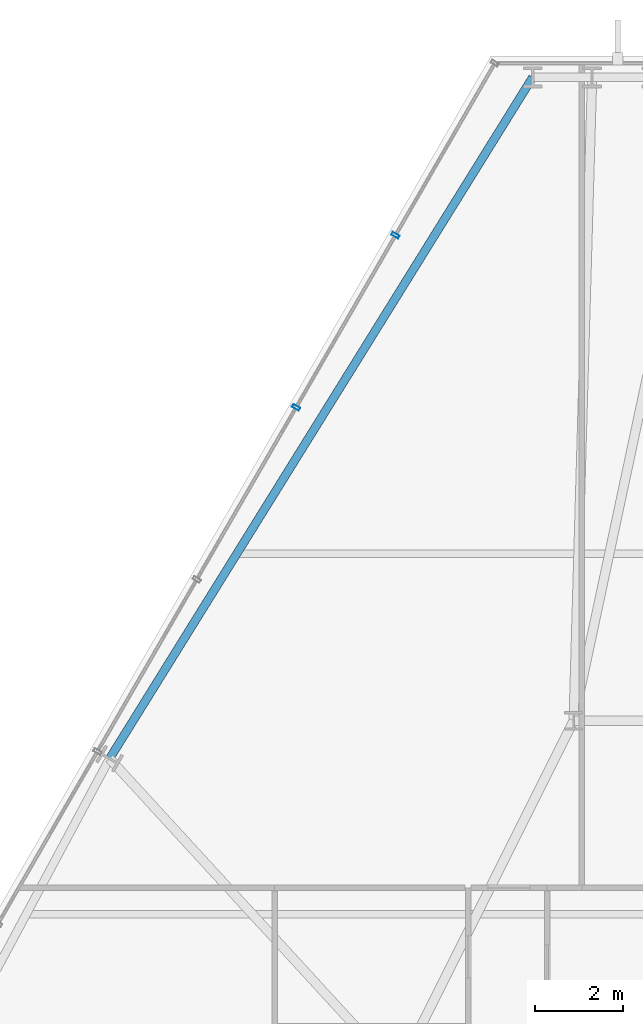
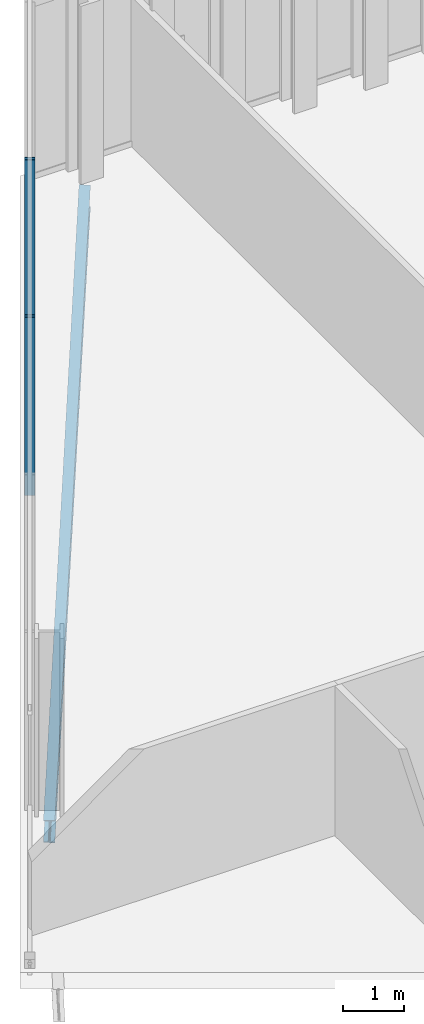
# One storey, part 21 of 33: 2 members, 1 beam, 1 element without a shape of its own.
"""IFC4 building model written with IfcOpenShell, lengths in metres."""

from ifc_helpers import new_model, si_unit, direction, frame, origin, origin_2d, place, context, subcontext, project, spatial, hollow_rectangle, i_section, extrude, material, layer, layer_set, material_profile, profile_set, type_object, element, aggregate, save


model = new_model("IFC4")

# Units and contexts
model_context = context("Model", 3, precision=1e-05, world=origin(), true_north=direction((0.0, 1.0)))
body_context = subcontext(model_context, "Body", "Model", "MODEL_VIEW")
ifc_project = project(units=[si_unit("LENGTHUNIT", "METRE"), si_unit("AREAUNIT", "SQUARE_METRE"), si_unit("VOLUMEUNIT", "CUBIC_METRE"), si_unit("PLANEANGLEUNIT", "RADIAN"), si_unit("MASSUNIT", "GRAM", prefix="KILO")], contexts=[model_context])

# Site, building, storey
site_placement = place(None, origin())
site = spatial("IfcSite", under=ifc_project, at=site_placement, CompositionType="ELEMENT")
building_placement = place(site_placement, origin())
building = spatial("IfcBuilding", under=site, at=building_placement, Name="Ndaravel Arena Tower", CompositionType="ELEMENT")
storey_placement = place(building_placement, frame((0.0, 0.0, 153.60009765625)))
storey = spatial("IfcBuildingStorey", under=building, at=storey_placement, Name="L36", CompositionType="ELEMENT", Elevation=153.60009765625)

# Beam
ifc_material_1 = material(Name="Steel S355", Category="steel")
ifc_material_profile_1 = material_profile(ifc_material_1, i_section(OverallWidth=0.18994140625, OverallDepth=0.449951171875, WebThickness=0.009521484375, FlangeThickness=0.0146484375, FilletRadius=0.02099609375, at=origin_2d()), Name="IPE 450")
ifc_profile_set_1 = profile_set([ifc_material_profile_1], Name="Steel S355")
beam_type = type_object("IfcBeamType", Name="BM-SPAN-IPE450", PredefinedType="SPANDREL", material=ifc_profile_set_1)
beam_placement = place(storey_placement, frame((37.268798828125, 45.833740234375, -0.445068359375), z_axis=(-0.52754211898, -0.849528876909, 0.0), x_axis=(0.849528876909, -0.52754211898, 0.0)))
element("IfcBeam", 1, at=beam_placement, inside=storey, type_object=beam_type, Name="L36 Perimeter Spandrel Beam SP-18", PredefinedType="SPANDREL", context=body_context, shape_type="SweptSolid", body=[
    extrude(i_section(OverallWidth=0.18994140625, OverallDepth=0.449951171875, WebThickness=0.009521484375, FlangeThickness=0.0146484375, FilletRadius=0.02099609375, at=origin_2d()), origin(), (0.0, 0.0, 1.0), 18.238525390625),
])

# Curtain wall, members
ifc_material_2 = material(Name="Aluminium", Category="aluminium")
ifc_layer = layer(ifc_material_2, 0.179931640625)
ifc_layer_set = layer_set([ifc_layer], Name="Aluminium")
curtain_wall_type = type_object("IfcCurtainWallType", Name="CW-SYS-03", PredefinedType="NOTDEFINED", material=ifc_layer_set)
curtain_wall_placement = place(storey_placement, origin())
curtain_wall = element("IfcCurtainWall", 2, at=curtain_wall_placement, inside=storey, type_object=curtain_wall_type, Name="L36 Faceted Crystal Curtain Wall CW-L36-E05", PredefinedType="NOTDEFINED")
ifc_material_3 = material(Name="Aluminium", Category="aluminium")
ifc_material_profile_2 = material_profile(ifc_material_3, hollow_rectangle(XDim=0.074951171875, YDim=0.179931640625, WallThickness=0.00390625, at=origin_2d()), Name="CW MULLION 75x180x4")
ifc_profile_set_2 = profile_set([ifc_material_profile_2], Name="Aluminium")
member_type = type_object("IfcMemberType", Name="MEM-CW-MUL180", PredefinedType="MULLION", material=ifc_profile_set_2)
member_1_placement = place(storey_placement, frame((34.148681640625, 42.240234375, 0.0), z_axis=(0.0, 0.0, 1.0), x_axis=(-0.5, -0.866025403784, 0.0)))
member_1 = element("IfcMember", 3, at=member_1_placement, type_object=member_type, Name="CW-L36-E05 Mullion 01", PredefinedType="MULLION", context=body_context, shape_type="SweptSolid", body=[
    extrude(hollow_rectangle(XDim=0.074951171875, YDim=0.179931640625, WallThickness=0.00390625, at=origin_2d()), origin(), (0.0, 0.0, 1.0), 3.579833984375),
])
member_2_placement = place(storey_placement, frame((31.88916015625, 38.32666015625, 0.0), z_axis=(0.0, 0.0, 1.0), x_axis=(-0.5, -0.866025403784, 0.0)))
member_2 = element("IfcMember", 4, at=member_2_placement, type_object=member_type, Name="CW-L36-E05 Mullion 02", PredefinedType="MULLION", context=body_context, shape_type="SweptSolid", body=[
    extrude(hollow_rectangle(XDim=0.074951171875, YDim=0.179931640625, WallThickness=0.00390625, at=origin_2d()), origin(), (0.0, 0.0, 1.0), 3.579833984375),
])
aggregate(curtain_wall, [member_1, member_2])

save(model, "model.ifc")
